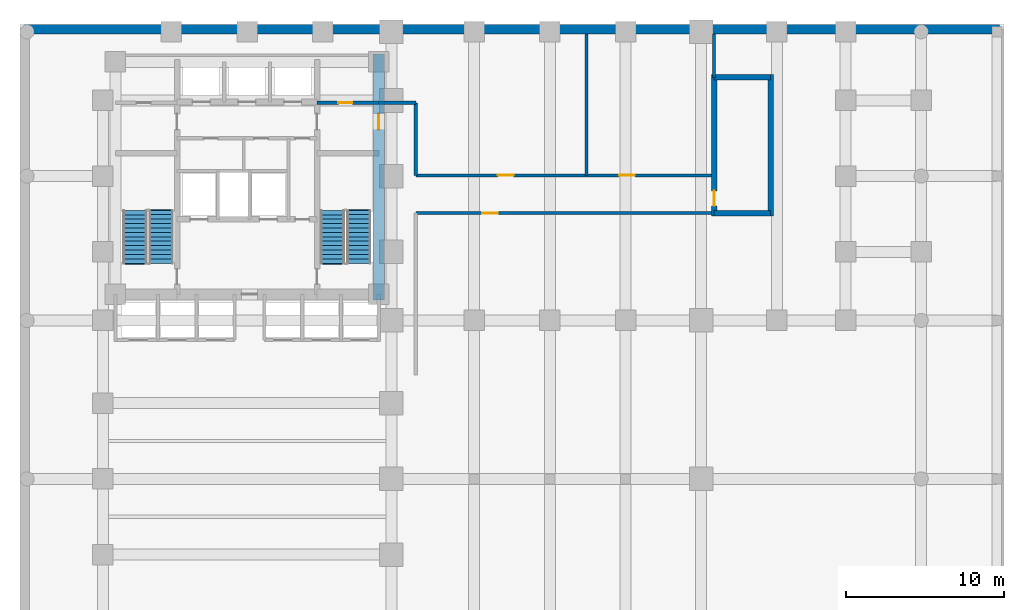
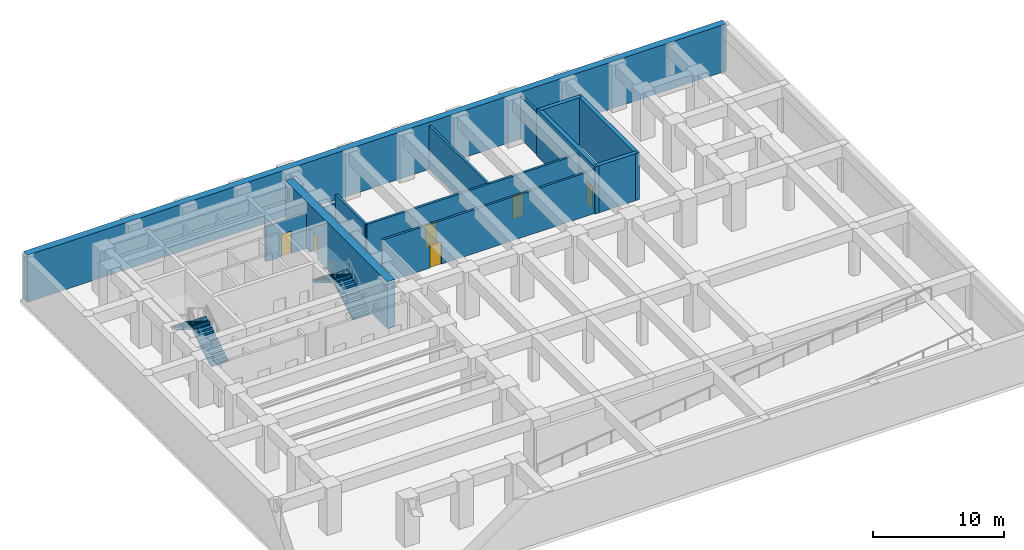
# One storey, part 4 of 6: 13 walls, 6 doors, 4 stair flights, 6 openings, 2 elements without a shape of their own.
"""IFC4 building model written with IfcOpenShell, lengths in metres."""

from ifc_helpers import new_model, si_unit, direction, frame, frame_2d, origin, place, context, subcontext, project, spatial, polyline, rectangle, outline, extrude, material, layer, layer_set, type_object, element, fill, aggregate, save


model = new_model("IFC4")

# Units and contexts
model_context = context("Model", 3, precision=1e-05, world=origin(), true_north=direction((0.0, 1.0)))
body_context = subcontext(model_context, "Body", "Model", "MODEL_VIEW")
ifc_project = project(units=[si_unit("LENGTHUNIT", "METRE"), si_unit("AREAUNIT", "SQUARE_METRE"), si_unit("VOLUMEUNIT", "CUBIC_METRE"), si_unit("PLANEANGLEUNIT", "RADIAN"), si_unit("MASSUNIT", "GRAM", prefix="KILO")], contexts=[model_context])

# Site, building, storey
site_placement = place(None, origin())
site = spatial("IfcSite", under=ifc_project, at=site_placement, CompositionType="ELEMENT")
building_placement = place(site_placement, origin())
building = spatial("IfcBuilding", under=site, at=building_placement, Name="Orvandelia Arch Residences", CompositionType="ELEMENT")
storey_placement = place(building_placement, frame((0.0, 0.0, -8.800048828125)))
storey = spatial("IfcBuildingStorey", under=building, at=storey_placement, Name="B2", CompositionType="ELEMENT", Elevation=-8.800048828125)

# Wall, opening, door
ifc_material_1 = material(Name="Concrete C50/60", Category="concrete")
ifc_layer_1 = layer(ifc_material_1, 0.35009765625, Name="Concrete C50/60", Category="concrete")
ifc_layer_set_1 = layer_set([ifc_layer_1], Name="Concrete C50/60")
wall_type_1 = type_object("IfcWallType", Name="WL-CORE-350", PredefinedType="SHEAR", material=ifc_layer_set_1)
wall_1_placement = place(storey_placement, frame((44.02001953125, 35.864990234375, 0.0), z_axis=(0.0, 0.0, 1.0), x_axis=(0.0, 1.0, 0.0)))
wall_1 = element("IfcWall", 1, at=wall_1_placement, inside=storey, type_object=wall_type_1, Name="East Stair Core Shear Wall B2-W", PredefinedType="SHEAR", context=body_context, shape_type="SweptSolid", body=[
    extrude(rectangle(XDim=8.969970703125, YDim=0.35009765625, at=frame_2d((4.48486328125, 0.0))), origin(), (0.0, 0.0, 1.0), 4.400146484375),
])
opening_1_placement = place(wall_1_placement, frame((0.64990234375, 0.0, 0.0)))
opening_1 = element("IfcOpeningElement", 2, at=opening_1_placement, cuts=wall_1, Name="Opening D7", PredefinedType="OPENING", context=body_context, shape_type="SweptSolid", body=[
    extrude(rectangle(XDim=0.949951171875, YDim=2.10009765625, at=frame_2d((0.47509765625, 1.050048828125))), frame((0.0, 0.18505859375, 0.0), z_axis=(0.0, -1.0, 0.0), x_axis=(1.0, 0.0, 0.0)), (0.0, 0.0, 1.0), 0.3701171875),
])
ifc_material_2 = material(Name="Pressurised Stairwell Fire Door")
door_type_1 = type_object("IfcDoorType", Name="DR-STAIR-950", OperationType="NOTDEFINED", PredefinedType="DOOR", material=ifc_material_2)
door_1_placement = place(opening_1_placement, origin())
door_1 = element("IfcDoor", 3, at=door_1_placement, inside=storey, type_object=door_type_1, Name="East Stairwell ST-3 Fire Door B2", OperationType="SINGLE_SWING_LEFT", OverallHeight=2.10009765625, OverallWidth=0.949951171875, PredefinedType="DOOR", context=body_context, shape_type="SweptSolid", body=[
    extrude(rectangle(XDim=0.949951171875, YDim=2.10009765625, at=frame_2d((0.47509765625, 1.050048828125))), frame((0.0, 0.02490234375, 0.0), z_axis=(0.0, -1.0, 0.0), x_axis=(1.0, 0.0, 0.0)), (0.0, 0.0, 1.0), 0.050048828125),
])
fill(opening_1, door_1)

# Walls
wall_2_placement = place(storey_placement, frame((47.60009765625, 35.864990234375, 0.0), z_axis=(0.0, 0.0, 1.0), x_axis=(0.0, 1.0, 0.0)))
element("IfcWall", 4, at=wall_2_placement, inside=storey, type_object=wall_type_1, Name="East Stair Core Shear Wall B2-E", PredefinedType="SHEAR", context=body_context, shape_type="SweptSolid", body=[
    extrude(rectangle(XDim=8.969970703125, YDim=0.35009765625, at=frame_2d((4.48486328125, 0.0))), origin(), (0.0, 0.0, 1.0), 4.400146484375),
])
for number, where, z_axis, x_axis, name in (
    (5, (44.02001953125, 36.0400390625, 0.0), (0.0, 0.0, 1.0), (1.0, 0.0, 0.0), "East Stair Core Shear Wall B2-S"),
    (6, (44.02001953125, 44.659912109375, 0.0), (0.0, 0.0, 1.0), (1.0, 0.0, 0.0), "East Stair Core Shear Wall B2-N"),
):
    element("IfcWall", number, at=place(storey_placement, frame(where, z_axis=z_axis, x_axis=x_axis)), inside=storey, type_object=wall_type_1, Name=name, PredefinedType="SHEAR", context=body_context, shape_type="SweptSolid", body=[
        extrude(rectangle(XDim=3.580078125, YDim=0.35009765625, at=frame_2d((1.7900390625, 0.0))), origin(), (0.0, 0.0, 1.0), 4.400146484375),
    ])

# Wall, opening, door
ifc_material_3 = material(Name="Concrete C80/95", Category="concrete")
ifc_layer_2 = layer(ifc_material_3, 0.699951171875, Name="Concrete C80/95", Category="concrete")
ifc_layer_set_2 = layer_set([ifc_layer_2], Name="Concrete C80/95")
wall_type_2 = type_object("IfcWallType", Name="WL-CORE-700", PredefinedType="SHEAR", material=ifc_layer_set_2)
wall_3_placement = place(storey_placement, frame((22.75, 30.550048828125, 0.0), z_axis=(0.0, 0.0, 1.0), x_axis=(0.0, 1.0, 0.0)))
wall_3 = element("IfcWall", 7, at=wall_3_placement, inside=storey, type_object=wall_type_2, Name="Core Shear Wall B2-E", PredefinedType="SHEAR", context=body_context, shape_type="SweptSolid", body=[
    extrude(rectangle(XDim=15.599853515625, YDim=0.699951171875, at=frame_2d((7.7998046875, 0.0))), origin(), (0.0, 0.0, 1.0), 4.400146484375),
])
opening_2_placement = place(wall_3_placement, frame((10.800048828125, 0.0, 0.0)))
opening_2 = element("IfcOpeningElement", 8, at=opening_2_placement, cuts=wall_3, Name="Opening D6", PredefinedType="OPENING", context=body_context, shape_type="SweptSolid", body=[
    extrude(rectangle(XDim=1.0, YDim=2.14990234375, at=frame_2d((0.5, 1.074951171875))), frame((0.0, 0.35986328125, 0.0), z_axis=(0.0, -1.0, 0.0), x_axis=(1.0, 0.0, 0.0)), (0.0, 0.0, 1.0), 0.719970703125),
])
ifc_material_4 = material(Name="Smokeproof Painted Steel Fire Door", Category="steel")
door_type_2 = type_object("IfcDoorType", Name="DR-FD60-1000", OperationType="NOTDEFINED", PredefinedType="DOOR", material=ifc_material_4)
door_2_placement = place(opening_2_placement, origin())
door_2 = element("IfcDoor", 9, at=door_2_placement, inside=storey, type_object=door_type_2, Name="Core East Corridor Link Door B2", OperationType="SINGLE_SWING_LEFT", OverallHeight=2.14990234375, OverallWidth=1.0, PredefinedType="DOOR", context=body_context, shape_type="SweptSolid", body=[
    extrude(rectangle(XDim=1.0, YDim=2.14990234375, at=frame_2d((0.5, 1.074951171875))), frame((0.0, 0.02490234375, 0.0), z_axis=(0.0, -1.0, 0.0), x_axis=(1.0, 0.0, 0.0)), (0.0, 0.0, 1.0), 0.050048828125),
])
fill(opening_2, door_2)

ifc_material_5 = material(Name="Fire-Rated Corridor Partition")
ifc_layer_3 = layer(ifc_material_5, 0.199951171875, Name="Fire-Rated Corridor Partition")
ifc_layer_set_3 = layer_set([ifc_layer_3], Name="Fire-Rated Corridor Partition")
wall_type_3 = type_object("IfcWallType", Name="WL-CORR-200", PredefinedType="PARTITIONING", material=ifc_layer_set_3)
wall_4_placement = place(storey_placement, frame((25.10009765625, 36.050048828125, 0.0), z_axis=(0.0, 0.0, 1.0), x_axis=(1.0, 0.0, 0.0)))
wall_4 = element("IfcWall", 10, at=wall_4_placement, inside=storey, type_object=wall_type_3, Name="Interior Partition Wall WL-B2-BC-S", PredefinedType="PARTITIONING", context=body_context, shape_type="SweptSolid", body=[
    extrude(rectangle(XDim=18.919921875, YDim=0.199951171875, at=frame_2d((9.4599609375, 0.0))), origin(), (0.0, 0.0, 1.0), 4.080078125),
])
opening_3_placement = place(wall_4_placement, frame((4.199951171875, 0.0, 0.0)))
opening_3 = element("IfcOpeningElement", 11, at=opening_3_placement, cuts=wall_4, Name="Opening D6", PredefinedType="OPENING", context=body_context, shape_type="SweptSolid", body=[
    extrude(rectangle(XDim=1.0, YDim=2.14990234375, at=frame_2d((0.5, 1.074951171875))), frame((0.0, 0.10986328125, 0.0), z_axis=(0.0, -1.0, 0.0), x_axis=(1.0, 0.0, 0.0)), (0.0, 0.0, 1.0), 0.219970703125),
])
door_3_placement = place(opening_3_placement, origin())
door_3 = element("IfcDoor", 12, at=door_3_placement, inside=storey, type_object=door_type_2, Name="DR-B2-BCPRK", OperationType="SINGLE_SWING_LEFT", OverallHeight=2.14990234375, OverallWidth=1.0, PredefinedType="DOOR", context=body_context, shape_type="SweptSolid", body=[
    extrude(rectangle(XDim=1.0, YDim=2.14990234375, at=frame_2d((0.5, 1.074951171875))), frame((0.0, 0.02490234375, 0.0), z_axis=(0.0, -1.0, 0.0), x_axis=(1.0, 0.0, 0.0)), (0.0, 0.0, 1.0), 0.050048828125),
])
fill(opening_3, door_3)

# Wall, openings, doors
wall_5_placement = place(storey_placement, frame((25.10009765625, 38.449951171875, 0.0), z_axis=(0.0, 0.0, 1.0), x_axis=(1.0, 0.0, 0.0)))
wall_5 = element("IfcWall", 13, at=wall_5_placement, inside=storey, type_object=wall_type_3, Name="Interior Partition Wall WL-B2-BC-N", PredefinedType="PARTITIONING", context=body_context, shape_type="SweptSolid", body=[
    extrude(rectangle(XDim=18.919921875, YDim=0.199951171875, at=frame_2d((9.4599609375, 0.0))), origin(), (0.0, 0.0, 1.0), 4.080078125),
])
opening_4_placement = place(wall_5_placement, frame((5.199951171875, 0.0, 0.0)))
opening_4 = element("IfcOpeningElement", 14, at=opening_4_placement, cuts=wall_5, Name="Opening D6", PredefinedType="OPENING", context=body_context, shape_type="SweptSolid", body=[
    extrude(rectangle(XDim=1.0, YDim=2.14990234375, at=frame_2d((0.5, 1.074951171875))), frame((0.0, 0.10986328125, 0.0), z_axis=(0.0, -1.0, 0.0), x_axis=(1.0, 0.0, 0.0)), (0.0, 0.0, 1.0), 0.219970703125),
])
opening_5_placement = place(wall_5_placement, frame((12.89990234375, 0.0, 0.0)))
opening_5 = element("IfcOpeningElement", 15, at=opening_5_placement, cuts=wall_5, Name="Opening D6", PredefinedType="OPENING", context=body_context, shape_type="SweptSolid", body=[
    extrude(rectangle(XDim=1.0, YDim=2.14990234375, at=frame_2d((0.5, 1.074951171875))), frame((0.0, 0.10986328125, 0.0), z_axis=(0.0, -1.0, 0.0), x_axis=(1.0, 0.0, 0.0)), (0.0, 0.0, 1.0), 0.219970703125),
])
door_4_placement = place(opening_4_placement, origin())
door_4 = element("IfcDoor", 16, at=door_4_placement, inside=storey, type_object=door_type_2, Name="DR-B2-BPLT1", OperationType="SINGLE_SWING_LEFT", OverallHeight=2.14990234375, OverallWidth=1.0, PredefinedType="DOOR", context=body_context, shape_type="SweptSolid", body=[
    extrude(rectangle(XDim=1.0, YDim=2.14990234375, at=frame_2d((0.5, 1.074951171875))), frame((0.0, 0.02490234375, 0.0), z_axis=(0.0, -1.0, 0.0), x_axis=(1.0, 0.0, 0.0)), (0.0, 0.0, 1.0), 0.050048828125),
])
fill(opening_4, door_4)
door_5_placement = place(opening_5_placement, origin())
door_5 = element("IfcDoor", 17, at=door_5_placement, inside=storey, type_object=door_type_2, Name="DR-B2-BPLT2", OperationType="SINGLE_SWING_RIGHT", OverallHeight=2.14990234375, OverallWidth=1.0, PredefinedType="DOOR", context=body_context, shape_type="SweptSolid", body=[
    extrude(rectangle(XDim=1.0, YDim=2.14990234375, at=frame_2d((0.5, 1.074951171875))), frame((0.0, 0.02490234375, 0.0), z_axis=(0.0, -1.0, 0.0), x_axis=(1.0, 0.0, 0.0)), (0.0, 0.0, 1.0), 0.050048828125),
])
fill(opening_5, door_5)

# Walls
wall_6_placement = place(storey_placement, frame((25.10009765625, 38.449951171875, 0.0), z_axis=(0.0, 0.0, 1.0), x_axis=(0.0, 1.0, 0.0)))
element("IfcWall", 18, at=wall_6_placement, inside=storey, type_object=wall_type_3, Name="Interior Partition Wall WL-B2-BC-E2", PredefinedType="PARTITIONING", context=body_context, shape_type="SweptSolid", body=[
    extrude(rectangle(XDim=4.60009765625, YDim=0.199951171875, at=frame_2d((2.300048828125, 0.0))), origin(), (0.0, 0.0, 1.0), 4.080078125),
])
wall_7_placement = place(storey_placement, frame((22.75, 43.050048828125, 0.0), z_axis=(0.0, 0.0, 1.0), x_axis=(1.0, 0.0, 0.0)))
element("IfcWall", 19, at=wall_7_placement, inside=storey, type_object=wall_type_3, Name="Interior Partition Wall WL-B2-BC-NT", PredefinedType="PARTITIONING", context=body_context, shape_type="SweptSolid", body=[
    extrude(rectangle(XDim=2.35009765625, YDim=0.199951171875, at=frame_2d((1.175048828125, 0.0))), origin(), (0.0, 0.0, 1.0), 3.280029296875),
])
wall_8_placement = place(storey_placement, frame((35.919921875, 38.449951171875, 0.0), z_axis=(0.0, 0.0, 1.0), x_axis=(0.0, 1.0, 0.0)))
element("IfcWall", 20, at=wall_8_placement, inside=storey, type_object=wall_type_3, Name="Interior Partition Wall WL-B2-BPLT-M", PredefinedType="PARTITIONING", context=body_context, shape_type="SweptSolid", body=[
    extrude(rectangle(XDim=8.949951171875, YDim=0.199951171875, at=frame_2d((4.47509765625, 0.0))), origin(), (0.0, 0.0, 1.0), 4.080078125),
])
wall_9_placement = place(storey_placement, frame((44.02001953125, 44.659912109375, 0.0), z_axis=(0.0, 0.0, 1.0), x_axis=(0.0, 1.0, 0.0)))
element("IfcWall", 21, at=wall_9_placement, inside=storey, type_object=wall_type_3, Name="Interior Partition Wall WL-B2-BPLT-E", PredefinedType="PARTITIONING", context=body_context, shape_type="SweptSolid", body=[
    extrude(rectangle(XDim=2.739990234375, YDim=0.199951171875, at=frame_2d((1.3701171875, 0.0))), origin(), (0.0, 0.0, 1.0), 4.080078125),
])
ifc_layer_4 = layer(ifc_material_1, 0.60009765625, Name="Concrete C50/60", Category="concrete")
ifc_layer_set_4 = layer_set([ifc_layer_4], Name="Concrete C50/60")
wall_type_4 = type_object("IfcWallType", Name="WL-RET-600", PredefinedType="USERDEFINED", material=ifc_layer_set_4)
wall_10_placement = place(storey_placement, frame((62.10009765625, 47.699951171875, 0.0), z_axis=(0.0, 0.0, 1.0), x_axis=(-1.0, 0.0, 0.0)))
element("IfcWall", 22, at=wall_10_placement, inside=storey, type_object=wall_type_4, Name="Basement Diaphragm Retaining Wall B2-N", ObjectType="RETAININGWALL", PredefinedType="USERDEFINED", context=body_context, shape_type="SweptSolid", body=[
    extrude(rectangle(XDim=61.800048828125, YDim=0.60009765625, at=frame_2d((30.89990234375, 0.0))), origin(), (0.0, 0.0, 1.0), 4.400146484375),
])

# Wall, opening, door
ifc_material_6 = material(Name="Fire-Rated Shaft Enclosure Wall")
ifc_layer_5 = layer(ifc_material_6, 0.199951171875, Name="Fire-Rated Shaft Enclosure Wall")
ifc_layer_set_5 = layer_set([ifc_layer_5], Name="Fire-Rated Shaft Enclosure Wall")
wall_type_5 = type_object("IfcWallType", Name="WL-SHAFT-200", PredefinedType="POLYGONAL", material=ifc_layer_set_5)
wall_11_placement = place(storey_placement, frame((18.840087890625, 43.050048828125, 0.0), z_axis=(0.0, 0.0, 1.0), x_axis=(1.0, 0.0, 0.0)))
wall_11 = element("IfcWall", 23, at=wall_11_placement, inside=storey, type_object=wall_type_5, Name="Interior Partition Wall WL-B2-HLE-N", PredefinedType="POLYGONAL", context=body_context, shape_type="SweptSolid", body=[
    extrude(rectangle(XDim=3.909912109375, YDim=0.199951171875, at=frame_2d((1.955078125, 0.0))), origin(), (0.0, 0.0, 1.0), 3.280029296875),
])
opening_6_placement = place(wall_11_placement, frame((1.35009765625, 0.0, 0.0)))
opening_6 = element("IfcOpeningElement", 24, at=opening_6_placement, cuts=wall_11, Name="Opening D5", PredefinedType="OPENING", context=body_context, shape_type="SweptSolid", body=[
    extrude(rectangle(XDim=0.8798828125, YDim=2.10009765625, at=frame_2d((0.43994140625, 1.050048828125))), frame((0.0, 0.10986328125, 0.0), z_axis=(0.0, -1.0, 0.0), x_axis=(1.0, 0.0, 0.0)), (0.0, 0.0, 1.0), 0.219970703125),
])
ifc_material_7 = material(Name="Painted Galvanised Steel Service Door", Category="steel")
door_type_3 = type_object("IfcDoorType", Name="DR-SRV-880", OperationType="NOTDEFINED", PredefinedType="DOOR", material=ifc_material_7)
door_6_placement = place(opening_6_placement, origin())
door_6 = element("IfcDoor", 25, at=door_6_placement, inside=storey, type_object=door_type_3, Name="DR-B2-CSB1", OperationType="SINGLE_SWING_LEFT", OverallHeight=2.10009765625, OverallWidth=0.8798828125, PredefinedType="DOOR", context=body_context, shape_type="SweptSolid", body=[
    extrude(rectangle(XDim=0.8798828125, YDim=2.10009765625, at=frame_2d((0.43994140625, 1.050048828125))), frame((0.0, 0.02490234375, 0.0), z_axis=(0.0, -1.0, 0.0), x_axis=(1.0, 0.0, 0.0)), (0.0, 0.0, 1.0), 0.050048828125),
])
fill(opening_6, door_6)

# Stair, stair flights
ifc_material_8 = material(Name="Concrete C40/50", Category="concrete")
stair_type = type_object("IfcStairType", Name="STAIR-RC-DOGLEG", PredefinedType="HALF_TURN_STAIR", material=ifc_material_8)
stair_1_placement = place(storey_placement, origin())
stair_1 = element("IfcStair", 26, at=stair_1_placement, inside=storey, type_object=stair_type, Name="B2 Protected Exit Stair ST-1", PredefinedType="HALF_TURN_STAIR")
stair_flight_type = type_object("IfcStairFlightType", Name="STFLT-RC-1520", PredefinedType="STRAIGHT", material=ifc_material_8)
stair_flight_1_placement = place(storey_placement, frame((8.9599609375, 32.8701171875, 0.0), z_axis=(0.0, 0.0, 1.0), x_axis=(0.0, 1.0, 0.0)))
stair_flight_1 = element("IfcStairFlight", 27, at=stair_flight_1_placement, type_object=stair_flight_type, Name="ST-1 flight 1", NumberOfRisers=13, NumberOfTreads=12, PredefinedType="STRAIGHT", RiserHeight=0.169230769, TreadLength=0.28, context=body_context, shape_type="SweptSolid", body=[
    extrude(outline(polyline([(0.0, 0.0), (0.0, 0.169189453125), (0.280029296875, 0.169189453125), (0.280029296875, 0.33837890625), (0.56005859375, 0.33837890625), (0.56005859375, 0.5078125), (0.840087890625, 0.5078125), (0.840087890625, 0.677001953125), (1.1201171875, 0.677001953125), (1.1201171875, 0.84619140625), (1.39990234375, 0.84619140625), (1.39990234375, 1.015380859375), (1.679931640625, 1.015380859375), (1.679931640625, 1.1845703125), (1.9599609375, 1.1845703125), (1.9599609375, 1.353759765625), (2.239990234375, 1.353759765625), (2.239990234375, 1.523193359375), (2.52001953125, 1.523193359375), (2.52001953125, 1.6923828125), (2.800048828125, 1.6923828125), (2.800048828125, 1.861572265625), (3.080078125, 1.861572265625), (3.080078125, 2.03076171875), (3.360107421875, 2.03076171875), (3.360107421875, 2.199951171875), (3.419921875, 2.199951171875), (3.419921875, 2.02001953125), (3.360107421875, 1.855712890625), (0.289794921875, 0.0), (0.0, 0.0)])), frame((0.0, 0.760009765625, 0.0), z_axis=(0.0, -1.0, 0.0), x_axis=(1.0, 0.0, 0.0)), (0.0, 0.0, 1.0), 1.52001953125),
])
stair_flight_2_placement = place(storey_placement, frame((7.2900390625, 36.22998046875, 2.199951171875), z_axis=(0.0, 0.0, 1.0), x_axis=(0.0, -1.0, 0.0)))
stair_flight_2 = element("IfcStairFlight", 28, at=stair_flight_2_placement, type_object=stair_flight_type, Name="ST-1 flight 2", NumberOfRisers=13, NumberOfTreads=12, PredefinedType="STRAIGHT", RiserHeight=0.169230769, TreadLength=0.28, context=body_context, shape_type="SweptSolid", body=[
    extrude(outline(polyline([(0.0, 0.0), (0.0, 0.169189453125), (0.280029296875, 0.169189453125), (0.280029296875, 0.33837890625), (0.56005859375, 0.33837890625), (0.56005859375, 0.5078125), (0.840087890625, 0.5078125), (0.840087890625, 0.677001953125), (1.1201171875, 0.677001953125), (1.1201171875, 0.84619140625), (1.39990234375, 0.84619140625), (1.39990234375, 1.015380859375), (1.679931640625, 1.015380859375), (1.679931640625, 1.1845703125), (1.9599609375, 1.1845703125), (1.9599609375, 1.353759765625), (2.239990234375, 1.353759765625), (2.239990234375, 1.523193359375), (2.52001953125, 1.523193359375), (2.52001953125, 1.6923828125), (2.800048828125, 1.6923828125), (2.800048828125, 1.861572265625), (3.080078125, 1.861572265625), (3.080078125, 2.03076171875), (3.360107421875, 2.03076171875), (3.360107421875, 2.199951171875), (3.419921875, 2.199951171875), (3.419921875, 2.02001953125), (3.360107421875, 1.855712890625), (0.289794921875, 0.0), (0.0, 0.0)])), frame((0.0, 0.760009765625, 0.0), z_axis=(0.0, -1.0, 0.0), x_axis=(1.0, 0.0, 0.0)), (0.0, 0.0, 1.0), 1.52001953125),
])
aggregate(stair_1, [stair_flight_1, stair_flight_2])

stair_2_placement = place(storey_placement, origin())
stair_2 = element("IfcStair", 29, at=stair_2_placement, inside=storey, type_object=stair_type, Name="B2 Protected Exit Stair ST-2", PredefinedType="HALF_TURN_STAIR")
stair_flight_3_placement = place(storey_placement, frame((21.489990234375, 32.8701171875, 0.0), z_axis=(0.0, 0.0, 1.0), x_axis=(0.0, 1.0, 0.0)))
stair_flight_3 = element("IfcStairFlight", 30, at=stair_flight_3_placement, type_object=stair_flight_type, Name="ST-2 flight 1", NumberOfRisers=13, NumberOfTreads=12, PredefinedType="STRAIGHT", RiserHeight=0.169230769, TreadLength=0.28, context=body_context, shape_type="SweptSolid", body=[
    extrude(outline(polyline([(0.0, 0.0), (0.0, 0.169189453125), (0.280029296875, 0.169189453125), (0.280029296875, 0.33837890625), (0.56005859375, 0.33837890625), (0.56005859375, 0.5078125), (0.840087890625, 0.5078125), (0.840087890625, 0.677001953125), (1.1201171875, 0.677001953125), (1.1201171875, 0.84619140625), (1.39990234375, 0.84619140625), (1.39990234375, 1.015380859375), (1.679931640625, 1.015380859375), (1.679931640625, 1.1845703125), (1.9599609375, 1.1845703125), (1.9599609375, 1.353759765625), (2.239990234375, 1.353759765625), (2.239990234375, 1.523193359375), (2.52001953125, 1.523193359375), (2.52001953125, 1.6923828125), (2.800048828125, 1.6923828125), (2.800048828125, 1.861572265625), (3.080078125, 1.861572265625), (3.080078125, 2.03076171875), (3.360107421875, 2.03076171875), (3.360107421875, 2.199951171875), (3.419921875, 2.199951171875), (3.419921875, 2.02001953125), (3.360107421875, 1.855712890625), (0.289794921875, 0.0), (0.0, 0.0)])), frame((0.0, 0.760009765625, 0.0), z_axis=(0.0, -1.0, 0.0), x_axis=(1.0, 0.0, 0.0)), (0.0, 0.0, 1.0), 1.52001953125),
])
stair_flight_4_placement = place(storey_placement, frame((19.820068359375, 36.22998046875, 2.199951171875), z_axis=(0.0, 0.0, 1.0), x_axis=(0.0, -1.0, 0.0)))
stair_flight_4 = element("IfcStairFlight", 31, at=stair_flight_4_placement, type_object=stair_flight_type, Name="ST-2 flight 2", NumberOfRisers=13, NumberOfTreads=12, PredefinedType="STRAIGHT", RiserHeight=0.169230769, TreadLength=0.28, context=body_context, shape_type="SweptSolid", body=[
    extrude(outline(polyline([(0.0, 0.0), (0.0, 0.169189453125), (0.280029296875, 0.169189453125), (0.280029296875, 0.33837890625), (0.56005859375, 0.33837890625), (0.56005859375, 0.5078125), (0.840087890625, 0.5078125), (0.840087890625, 0.677001953125), (1.1201171875, 0.677001953125), (1.1201171875, 0.84619140625), (1.39990234375, 0.84619140625), (1.39990234375, 1.015380859375), (1.679931640625, 1.015380859375), (1.679931640625, 1.1845703125), (1.9599609375, 1.1845703125), (1.9599609375, 1.353759765625), (2.239990234375, 1.353759765625), (2.239990234375, 1.523193359375), (2.52001953125, 1.523193359375), (2.52001953125, 1.6923828125), (2.800048828125, 1.6923828125), (2.800048828125, 1.861572265625), (3.080078125, 1.861572265625), (3.080078125, 2.03076171875), (3.360107421875, 2.03076171875), (3.360107421875, 2.199951171875), (3.419921875, 2.199951171875), (3.419921875, 2.02001953125), (3.360107421875, 1.855712890625), (0.289794921875, 0.0), (0.0, 0.0)])), frame((0.0, 0.760009765625, 0.0), z_axis=(0.0, -1.0, 0.0), x_axis=(1.0, 0.0, 0.0)), (0.0, 0.0, 1.0), 1.52001953125),
])
aggregate(stair_2, [stair_flight_3, stair_flight_4])

save(model, "model.ifc")
